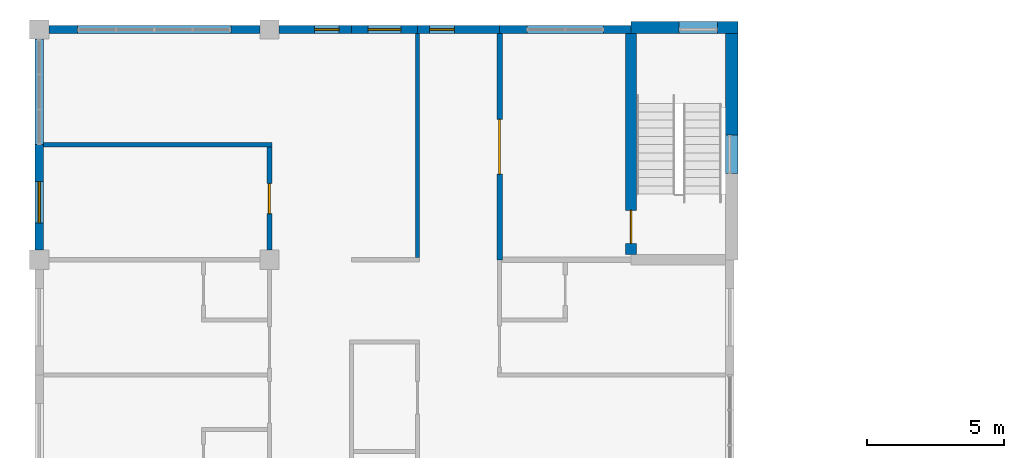
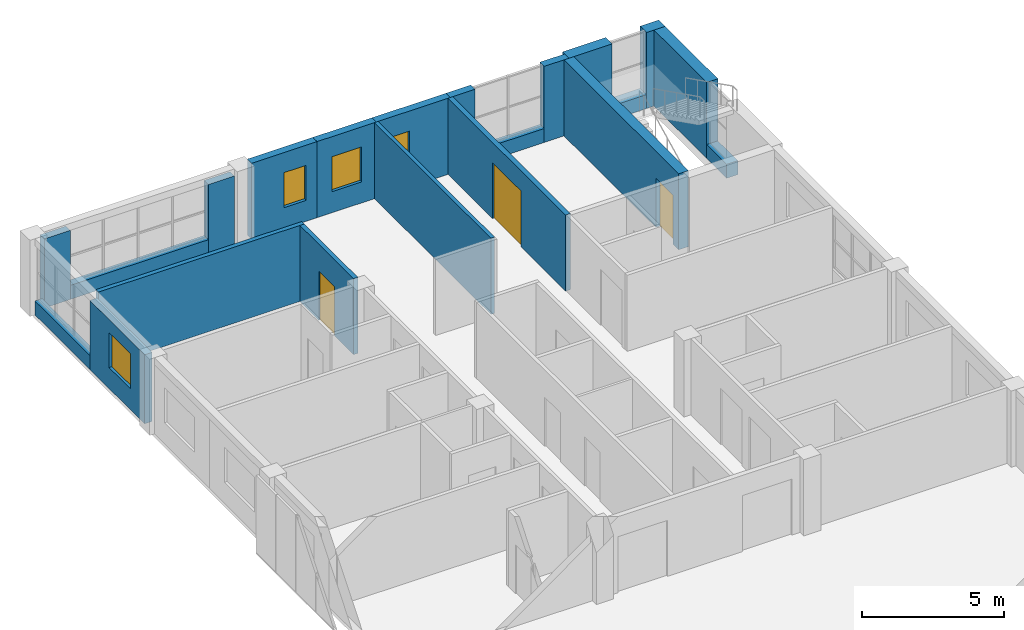
# One storey, part 43 of 61: 21 walls, 4 windows, 3 doors, 7 openings.
"""IFC4 building model written with IfcOpenShell, lengths in metres."""

from ifc_helpers import new_model, si_unit, direction, frame, frame_2d, origin, place, context, subcontext, project, spatial, rectangle, extrude, material, layer, layer_set, type_object, element, fill, save


model = new_model("IFC4")

# Units and contexts
model_context = context("Model", 3, precision=1e-05, world=origin(), true_north=direction((0.0, 1.0)))
body_context = subcontext(model_context, "Body", "Model", "MODEL_VIEW")
ifc_project = project(units=[si_unit("LENGTHUNIT", "METRE"), si_unit("AREAUNIT", "SQUARE_METRE"), si_unit("VOLUMEUNIT", "CUBIC_METRE"), si_unit("PLANEANGLEUNIT", "RADIAN"), si_unit("MASSUNIT", "GRAM", prefix="KILO")], contexts=[model_context])

# Site, building, storey
site_placement = place(None, origin())
site = spatial("IfcSite", under=ifc_project, at=site_placement, CompositionType="ELEMENT")
building_placement = place(site_placement, origin())
building = spatial("IfcBuilding", under=site, at=building_placement, Name="Yavir Park General Hospital", CompositionType="ELEMENT")
storey_placement = place(building_placement, frame((0.0, 0.0, 15.300048828125)))
storey = spatial("IfcBuildingStorey", under=building, at=storey_placement, Name="L03", CompositionType="ELEMENT", Elevation=15.300048828125)

# Wall
ifc_material_1 = material(Name="Double-leaf gypsum board acoustic partition on staggered studs")
ifc_layer_1 = layer(ifc_material_1, 0.175048828125)
ifc_layer_set_1 = layer_set([ifc_layer_1], Name="Double-leaf gypsum board acoustic partition on staggered studs")
wall_type_1 = type_object("IfcWallType", Name="Acoustic partition 175", PredefinedType="PARTITIONING", material=ifc_layer_set_1)
wall_1_placement = place(storey_placement, frame((0.14990234375, 113.39990234375, 0.0), z_axis=(0.0, 0.0, 1.0), x_axis=(1.0, 0.0, 0.0)))
element("IfcWall", 1, at=wall_1_placement, inside=storey, type_object=wall_type_1, Name="AP175 L03-146", PredefinedType="PARTITIONING", context=body_context, shape_type="SweptSolid", body=[
    extrude(rectangle(XDim=8.337646484375, YDim=0.175048828125, at=frame_2d((4.1689453125, 0.0))), origin(), (0.0, 0.0, 1.0), 3.260009765625),
])

# Wall, opening, door
wall_2_placement = place(storey_placement, frame((8.39990234375, 109.550048828125, 0.0), z_axis=(0.0, 0.0, 1.0), x_axis=(0.0, 1.0, 0.0)))
wall_2 = element("IfcWall", 2, at=wall_2_placement, inside=storey, type_object=wall_type_1, Name="AP175 L03-176", PredefinedType="PARTITIONING", context=body_context, shape_type="SweptSolid", body=[
    extrude(rectangle(XDim=3.762451171875, YDim=0.175048828125, at=frame_2d((1.88134765625, 0.0))), origin(), (0.0, 0.0, 1.0), 3.260009765625),
])
opening_1_placement = place(wall_2_placement, frame((1.331298828125, 0.0, 0.0)))
opening_1 = element("IfcOpeningElement", 3, at=opening_1_placement, cuts=wall_2, Name="Opening L03.D118", PredefinedType="OPENING", context=body_context, shape_type="SweptSolid", body=[
    extrude(rectangle(XDim=1.10009765625, YDim=2.10009765625, at=frame_2d((0.550048828125, 1.050048828125))), frame((0.0, 0.097412109375, 0.0), z_axis=(0.0, -1.0, 0.0), x_axis=(1.0, 0.0, 0.0)), (0.0, 0.0, 1.0), 0.195068359375),
])
ifc_material_2 = material(Name="Sealed solid-core acoustic door leaf, Rw 42 dB")
door_type_1 = type_object("IfcDoorType", Name="Acoustic door 1100 x 2100", OperationType="SINGLE_SWING_LEFT", PredefinedType="DOOR", material=ifc_material_2)
door_1_placement = place(opening_1_placement, origin())
door_1 = element("IfcDoor", 4, at=door_1_placement, inside=storey, type_object=door_type_1, Name="L03.D118", OperationType="SINGLE_SWING_LEFT", OverallHeight=2.10009765625, OverallWidth=1.10009765625, PredefinedType="DOOR", context=body_context, shape_type="SweptSolid", body=[
    extrude(rectangle(XDim=1.10009765625, YDim=2.10009765625, at=frame_2d((0.550048828125, 1.050048828125))), frame((0.0, 0.03515625, 0.0), z_axis=(0.0, -1.0, 0.0), x_axis=(1.0, 0.0, 0.0)), (0.0, 0.0, 1.0), 0.070068359375),
])
fill(opening_1, door_1)

ifc_material_3 = material(Name="Double gypsum board fire partition on steel studs", Category="steel")
ifc_layer_2 = layer(ifc_material_3, 0.199951171875)
ifc_layer_set_2 = layer_set([ifc_layer_2], Name="Double gypsum board fire partition on steel studs")
wall_type_2 = type_object("IfcWallType", Name="Fire-rated partition 200, EI 60", PredefinedType="PARTITIONING", material=ifc_layer_set_2)
wall_3_placement = place(storey_placement, frame((16.800048828125, 109.199951171875, 0.0), z_axis=(0.0, 0.0, 1.0), x_axis=(0.0, 1.0, 0.0)))
wall_3 = element("IfcWall", 5, at=wall_3_placement, inside=storey, type_object=wall_type_2, Name="FP20 L03-199", PredefinedType="PARTITIONING", context=body_context, shape_type="SweptSolid", body=[
    extrude(rectangle(XDim=8.25, YDim=0.199951171875, at=frame_2d((4.125, 0.0))), origin(), (0.0, 0.0, 1.0), 3.260009765625),
])
opening_2_placement = place(wall_3_placement, frame((3.125, 0.0, 0.0)))
opening_2 = element("IfcOpeningElement", 6, at=opening_2_placement, cuts=wall_3, Name="Opening L03.D142", PredefinedType="OPENING", context=body_context, shape_type="SweptSolid", body=[
    extrude(rectangle(XDim=2.0, YDim=2.39990234375, at=frame_2d((1.0, 1.199951171875))), frame((0.0, 0.10986328125, 0.0), z_axis=(0.0, -1.0, 0.0), x_axis=(1.0, 0.0, 0.0)), (0.0, 0.0, 1.0), 0.219970703125),
])
ifc_material_4 = material(Name="Steel frame, fire-resisting leaves with vision panels", Category="steel")
door_type_2 = type_object("IfcDoorType", Name="Double fire door with vision panels 2000 x 2400, EI 60", OperationType="DOUBLE_DOOR_SINGLE_SWING", PredefinedType="DOOR", material=ifc_material_4)
door_2_placement = place(opening_2_placement, origin())
door_2 = element("IfcDoor", 7, at=door_2_placement, inside=storey, type_object=door_type_2, Name="L03.D142", OperationType="SINGLE_SWING_LEFT", OverallHeight=2.39990234375, OverallWidth=2.0, PredefinedType="DOOR", context=body_context, shape_type="SweptSolid", body=[
    extrude(rectangle(XDim=2.0, YDim=2.39990234375, at=frame_2d((1.0, 1.199951171875))), frame((0.0, 0.030029296875, 0.0), z_axis=(0.0, -1.0, 0.0), x_axis=(1.0, 0.0, 0.0)), (0.0, 0.0, 1.0), 0.06005859375),
])
fill(opening_2, door_2)

# Walls
ifc_material_5 = material(Name="Gypsum board partition on steel studs", Category="steel")
ifc_layer_3 = layer(ifc_material_5, 0.14990234375)
ifc_layer_set_3 = layer_set([ifc_layer_3], Name="Gypsum board partition on steel studs")
wall_type_3 = type_object("IfcWallType", Name="Gypsum board partition 150", PredefinedType="PARTITIONING", material=ifc_layer_set_3)
wall_4_placement = place(storey_placement, frame((13.800048828125, 109.27490234375, 0.0), z_axis=(0.0, 0.0, 1.0), x_axis=(0.0, 1.0, 0.0)))
element("IfcWall", 8, at=wall_4_placement, inside=storey, type_object=wall_type_3, Name="P15 L03-186", PredefinedType="PARTITIONING", context=body_context, shape_type="SweptSolid", body=[
    extrude(rectangle(XDim=8.175048828125, YDim=0.14990234375, at=frame_2d((4.08740234375, 0.0))), origin(), (0.0, 0.0, 1.0), 3.260009765625),
])
ifc_material_6 = material(Name="Autoclaved aerated block, mineral wool and ochre mineral render")
ifc_layer_4 = layer(ifc_material_6, 0.300048828125)
ifc_layer_set_4 = layer_set([ifc_layer_4], Name="Autoclaved aerated block, mineral wool and ochre mineral render")
wall_type_4 = type_object("IfcWallType", Name="Ochre render ward wall 300, E 30", PredefinedType="SOLIDWALL", material=ifc_layer_set_4)
wall_5_placement = place(storey_placement, frame((0.35009765625, 117.60009765625, 0.0), z_axis=(0.0, 0.0, 1.0), x_axis=(1.0, 0.0, 0.0)))
element("IfcWall", 9, at=wall_5_placement, inside=storey, type_object=wall_type_4, Name="XW7 L03-080", PredefinedType="SOLIDWALL", context=body_context, shape_type="SweptSolid", body=[
    extrude(rectangle(XDim=1.0498046875, YDim=0.300048828125, at=frame_2d((0.52490234375, 0.0))), origin(), (0.0, 0.0, 1.0), 2.9599609375),
])
wall_6_placement = place(storey_placement, frame((7.0, 117.60009765625, 0.0), z_axis=(0.0, 0.0, 1.0), x_axis=(1.0, 0.0, 0.0)))
element("IfcWall", 10, at=wall_6_placement, inside=storey, type_object=wall_type_4, Name="XW7 L03-081", PredefinedType="SOLIDWALL", context=body_context, shape_type="SweptSolid", body=[
    extrude(rectangle(XDim=1.050048828125, YDim=0.300048828125, at=frame_2d((0.52490234375, 0.0))), origin(), (0.0, 0.0, 1.0), 2.9599609375),
])
wall_7_placement = place(storey_placement, frame((1.39990234375, 117.60009765625, 0.0), z_axis=(0.0, 0.0, 1.0), x_axis=(1.0, 0.0, 0.0)))
element("IfcWall", 11, at=wall_7_placement, inside=storey, type_object=wall_type_4, Name="XW7 L03-082", PredefinedType="SOLIDWALL", context=body_context, shape_type="SweptSolid", body=[
    extrude(rectangle(XDim=5.60009765625, YDim=0.300048828125, at=frame_2d((2.800048828125, 0.0))), origin(), (0.0, 0.0, 1.0), 0.599853515625),
])

# Wall, opening, window
wall_8_placement = place(storey_placement, frame((8.75, 117.60009765625, 0.0), z_axis=(0.0, 0.0, 1.0), x_axis=(1.0, 0.0, 0.0)))
wall_8 = element("IfcWall", 12, at=wall_8_placement, inside=storey, type_object=wall_type_4, Name="XW7 L03-083", PredefinedType="SOLIDWALL", context=body_context, shape_type="SweptSolid", body=[
    extrude(rectangle(XDim=2.64990234375, YDim=0.300048828125, at=frame_2d((1.324951171875, 0.0))), origin(), (0.0, 0.0, 1.0), 3.260009765625),
])
opening_3_placement = place(wall_8_placement, frame((1.300048828125, 0.0, 0.89990234375)))
opening_3 = element("IfcOpeningElement", 13, at=opening_3_placement, cuts=wall_8, Name="Opening WH", PredefinedType="OPENING", context=body_context, shape_type="SweptSolid", body=[
    extrude(rectangle(XDim=0.89990234375, YDim=1.5, at=frame_2d((0.449951171875, 0.75))), frame((0.0, 0.159912109375, 0.0), z_axis=(0.0, -1.0, 0.0), x_axis=(1.0, 0.0, 0.0)), (0.0, 0.0, 1.0), 0.320068359375),
])
ifc_material_7 = material(Name="Aluminium frame, double glazed unit", Category="aluminium")
window_type_1 = type_object("IfcWindowType", Name="Narrow window 900 x 1500", PartitioningType="SINGLE_PANEL", PredefinedType="WINDOW", material=ifc_material_7)
window_1_placement = place(opening_3_placement, origin())
window_1 = element("IfcWindow", 14, at=window_1_placement, inside=storey, type_object=window_type_1, Name="WH L03-041", OverallHeight=1.5, OverallWidth=0.89990234375, PartitioningType="SINGLE_PANEL", PredefinedType="WINDOW", context=body_context, shape_type="SweptSolid", body=[
    extrude(rectangle(XDim=0.89990234375, YDim=1.5, at=frame_2d((0.449951171875, 0.75))), frame((0.0, 0.030029296875, 0.0), z_axis=(0.0, -1.0, 0.0), x_axis=(1.0, 0.0, 0.0)), (0.0, 0.0, 1.0), 0.06005859375),
])
fill(opening_3, window_1)

wall_9_placement = place(storey_placement, frame((11.39990234375, 117.60009765625, 0.0), z_axis=(0.0, 0.0, 1.0), x_axis=(1.0, 0.0, 0.0)))
wall_9 = element("IfcWall", 15, at=wall_9_placement, inside=storey, type_object=wall_type_4, Name="XW7 L03-084", PredefinedType="SOLIDWALL", context=body_context, shape_type="SweptSolid", body=[
    extrude(rectangle(XDim=2.400146484375, YDim=0.300048828125, at=frame_2d((1.2001953125, 0.0))), origin(), (0.0, 0.0, 1.0), 3.260009765625),
])
opening_4_placement = place(wall_9_placement, frame((0.60009765625, 0.0, 0.89990234375)))
opening_4 = element("IfcOpeningElement", 16, at=opening_4_placement, cuts=wall_9, Name="Opening WD", PredefinedType="OPENING", context=body_context, shape_type="SweptSolid", body=[
    extrude(rectangle(XDim=1.199951171875, YDim=1.5, at=frame_2d((0.60009765625, 0.75))), frame((0.0, 0.159912109375, 0.0), z_axis=(0.0, -1.0, 0.0), x_axis=(1.0, 0.0, 0.0)), (0.0, 0.0, 1.0), 0.320068359375),
])
ifc_material_8 = material(Name="Aluminium frame, double glazed unit", Category="aluminium")
window_type_2 = type_object("IfcWindowType", Name="Office window 1200 x 1500", PartitioningType="SINGLE_PANEL", PredefinedType="WINDOW", material=ifc_material_8)
window_2_placement = place(opening_4_placement, origin())
window_2 = element("IfcWindow", 17, at=window_2_placement, inside=storey, type_object=window_type_2, Name="WD L03-042", OverallHeight=1.5, OverallWidth=1.199951171875, PartitioningType="SINGLE_PANEL", PredefinedType="WINDOW", context=body_context, shape_type="SweptSolid", body=[
    extrude(rectangle(XDim=1.199951171875, YDim=1.5, at=frame_2d((0.60009765625, 0.75))), frame((0.0, 0.030029296875, 0.0), z_axis=(0.0, -1.0, 0.0), x_axis=(1.0, 0.0, 0.0)), (0.0, 0.0, 1.0), 0.06005859375),
])
fill(opening_4, window_2)

wall_10_placement = place(storey_placement, frame((13.800048828125, 117.60009765625, 0.0), z_axis=(0.0, 0.0, 1.0), x_axis=(1.0, 0.0, 0.0)))
wall_10 = element("IfcWall", 18, at=wall_10_placement, inside=storey, type_object=wall_type_4, Name="XW7 L03-085", PredefinedType="SOLIDWALL", context=body_context, shape_type="SweptSolid", body=[
    extrude(rectangle(XDim=3.0, YDim=0.300048828125, at=frame_2d((1.5, 0.0))), origin(), (0.0, 0.0, 1.0), 3.260009765625),
])
opening_5_placement = place(wall_10_placement, frame((0.449951171875, 0.0, 0.89990234375)))
opening_5 = element("IfcOpeningElement", 19, at=opening_5_placement, cuts=wall_10, Name="Opening WH", PredefinedType="OPENING", context=body_context, shape_type="SweptSolid", body=[
    extrude(rectangle(XDim=0.89990234375, YDim=1.5, at=frame_2d((0.449951171875, 0.75))), frame((0.0, 0.159912109375, 0.0), z_axis=(0.0, -1.0, 0.0), x_axis=(1.0, 0.0, 0.0)), (0.0, 0.0, 1.0), 0.320068359375),
])
window_3_placement = place(opening_5_placement, origin())
window_3 = element("IfcWindow", 20, at=window_3_placement, inside=storey, type_object=window_type_1, Name="WH L03-043", OverallHeight=1.5, OverallWidth=0.89990234375, PartitioningType="SINGLE_PANEL", PredefinedType="WINDOW", context=body_context, shape_type="SweptSolid", body=[
    extrude(rectangle(XDim=0.89990234375, YDim=1.5, at=frame_2d((0.449951171875, 0.75))), frame((0.0, 0.030029296875, 0.0), z_axis=(0.0, -1.0, 0.0), x_axis=(1.0, 0.0, 0.0)), (0.0, 0.0, 1.0), 0.06005859375),
])
fill(opening_5, window_3)

# Walls
for number, where, z_axis, x_axis, name in (
    (21, (16.800048828125, 117.60009765625, 0.0), (0.0, 0.0, 1.0), (1.0, 0.0, 0.0), "XW7 L03-086"),
    (22, (20.60009765625, 117.60009765625, 0.0), (0.0, 0.0, 1.0), (1.0, 0.0, 0.0), "XW7 L03-087"),
):
    element("IfcWall", number, at=place(storey_placement, frame(where, z_axis=z_axis, x_axis=x_axis)), inside=storey, type_object=wall_type_4, Name=name, PredefinedType="SOLIDWALL", context=body_context, shape_type="SweptSolid", body=[
        extrude(rectangle(XDim=1.0, YDim=0.300048828125, at=frame_2d((0.5, 0.0))), origin(), (0.0, 0.0, 1.0), 3.260009765625),
    ])
wall_11_placement = place(storey_placement, frame((17.800048828125, 117.60009765625, 0.0), z_axis=(0.0, 0.0, 1.0), x_axis=(1.0, 0.0, 0.0)))
element("IfcWall", 23, at=wall_11_placement, inside=storey, type_object=wall_type_4, Name="XW7 L03-088", PredefinedType="SOLIDWALL", context=body_context, shape_type="SweptSolid", body=[
    extrude(rectangle(XDim=2.800048828125, YDim=0.300048828125, at=frame_2d((1.39990234375, 0.0))), origin(), (0.0, 0.0, 1.0), 0.599853515625),
])

# Wall, opening, window
wall_12_placement = place(storey_placement, frame((0.0, 109.550048828125, 0.0), z_axis=(0.0, 0.0, 1.0), x_axis=(0.0, 1.0, 0.0)))
wall_12 = element("IfcWall", 24, at=wall_12_placement, inside=storey, type_object=wall_type_4, Name="XW7 L03-122", PredefinedType="SOLIDWALL", context=body_context, shape_type="SweptSolid", body=[
    extrude(rectangle(XDim=3.849853515625, YDim=0.300048828125, at=frame_2d((1.9248046875, 0.0))), origin(), (0.0, 0.0, 1.0), 2.9599609375),
])
opening_6_placement = place(wall_12_placement, frame((1.0, 0.0, 0.89990234375)))
opening_6 = element("IfcOpeningElement", 25, at=opening_6_placement, cuts=wall_12, Name="Opening WC", PredefinedType="OPENING", context=body_context, shape_type="SweptSolid", body=[
    extrude(rectangle(XDim=1.5, YDim=1.5, at=frame_2d((0.75, 0.75))), frame((0.0, 0.159912109375, 0.0), z_axis=(0.0, -1.0, 0.0), x_axis=(1.0, 0.0, 0.0)), (0.0, 0.0, 1.0), 0.320068359375),
])
ifc_material_9 = material(Name="Aluminium frame, double glazed unit", Category="aluminium")
window_type_3 = type_object("IfcWindowType", Name="Consulting room window 1500 x 1500", PartitioningType="SINGLE_PANEL", PredefinedType="WINDOW", material=ifc_material_9)
window_4_placement = place(opening_6_placement, origin())
window_4 = element("IfcWindow", 26, at=window_4_placement, inside=storey, type_object=window_type_3, Name="WC L03-060", OverallHeight=1.5, OverallWidth=1.5, PartitioningType="SINGLE_PANEL", PredefinedType="WINDOW", context=body_context, shape_type="SweptSolid", body=[
    extrude(rectangle(XDim=1.5, YDim=1.5, at=frame_2d((0.75, 0.75))), frame((0.0, 0.030029296875, 0.0), z_axis=(0.0, -1.0, 0.0), x_axis=(1.0, 0.0, 0.0)), (0.0, 0.0, 1.0), 0.06005859375),
])
fill(opening_6, window_4)

# Wall
wall_13_placement = place(storey_placement, frame((0.0, 113.39990234375, 0.0), z_axis=(0.0, 0.0, 1.0), x_axis=(0.0, 1.0, 0.0)))
element("IfcWall", 27, at=wall_13_placement, inside=storey, type_object=wall_type_4, Name="XW7 L03-123", PredefinedType="SOLIDWALL", context=body_context, shape_type="SweptSolid", body=[
    extrude(rectangle(XDim=3.85009765625, YDim=0.300048828125, at=frame_2d((1.925048828125, 0.0))), origin(), (0.0, 0.0, 1.0), 0.599853515625),
])

# Wall, opening, door
ifc_material_10 = material(Name="Concrete C35/45", Category="concrete")
ifc_layer_5 = layer(ifc_material_10, 0.39990234375)
ifc_layer_set_5 = layer_set([ifc_layer_5], Name="Concrete C35/45")
wall_type_5 = type_object("IfcWallType", Name="Reinforced concrete core wall 400, REI 150", PredefinedType="SHEAR", material=ifc_layer_set_5)
wall_14_placement = place(storey_placement, frame((21.60009765625, 109.39990234375, 0.0), z_axis=(0.0, 0.0, 1.0), x_axis=(0.0, 1.0, 0.0)))
wall_14 = element("IfcWall", 28, at=wall_14_placement, inside=storey, type_object=wall_type_5, Name="CW40 L03-214", PredefinedType="SHEAR", context=body_context, shape_type="SweptSolid", body=[
    extrude(rectangle(XDim=8.050048828125, YDim=0.39990234375, at=frame_2d((4.02490234375, 0.0))), origin(), (0.0, 0.0, 1.0), 3.260009765625),
])
opening_7_placement = place(wall_14_placement, frame((0.39990234375, 0.0, 0.0)))
opening_7 = element("IfcOpeningElement", 29, at=opening_7_placement, cuts=wall_14, Name="Opening L03.D152", PredefinedType="OPENING", context=body_context, shape_type="SweptSolid", body=[
    extrude(rectangle(XDim=1.199951171875, YDim=2.10009765625, at=frame_2d((0.60009765625, 1.050048828125))), frame((0.0, 0.2099609375, 0.0), z_axis=(0.0, -1.0, 0.0), x_axis=(1.0, 0.0, 0.0)), (0.0, 0.0, 1.0), 0.419921875),
])
ifc_material_11 = material(Name="Steel frame, fire-resisting timber leaf", Category="steel")
door_type_3 = type_object("IfcDoorType", Name="Fire door 1200 x 2100, EI 60", OperationType="SINGLE_SWING_LEFT", PredefinedType="DOOR", material=ifc_material_11)
door_3_placement = place(opening_7_placement, origin())
door_3 = element("IfcDoor", 30, at=door_3_placement, inside=storey, type_object=door_type_3, Name="L03.D152", OperationType="SINGLE_SWING_LEFT", OverallHeight=2.10009765625, OverallWidth=1.199951171875, PredefinedType="DOOR", context=body_context, shape_type="SweptSolid", body=[
    extrude(rectangle(XDim=1.199951171875, YDim=2.10009765625, at=frame_2d((0.60009765625, 1.050048828125))), frame((0.0, 0.02490234375, 0.0), z_axis=(0.0, -1.0, 0.0), x_axis=(1.0, 0.0, 0.0)), (0.0, 0.0, 1.0), 0.050048828125),
])
fill(opening_7, door_3)

# Walls
ifc_material_12 = material(Name="Concrete C30/37 precast panel with 150 mm mineral wool insulation", Category="concrete")
ifc_layer_6 = layer(ifc_material_12, 0.449951171875)
ifc_layer_set_6 = layer_set([ifc_layer_6], Name="Concrete C30/37 precast panel with 150 mm mineral wool insulation")
wall_type_6 = type_object("IfcWallType", Name="Stair enclosure wall 450, REI 150", PredefinedType="SOLIDWALL", material=ifc_layer_set_6)
wall_15_placement = place(storey_placement, frame((21.60009765625, 117.675048828125, 0.0), z_axis=(0.0, 0.0, 1.0), x_axis=(1.0, 0.0, 0.0)))
element("IfcWall", 31, at=wall_15_placement, inside=storey, type_object=wall_type_6, Name="XW6 L03-089", PredefinedType="SOLIDWALL", context=body_context, shape_type="SweptSolid", body=[
    extrude(rectangle(XDim=1.75, YDim=0.449951171875, at=frame_2d((0.875, 0.0))), origin(), (0.0, 0.0, 1.0), 3.260009765625),
])
wall_16_placement = place(storey_placement, frame((24.75, 117.675048828125, 0.0), z_axis=(0.0, 0.0, 1.0), x_axis=(1.0, 0.0, 0.0)))
element("IfcWall", 32, at=wall_16_placement, inside=storey, type_object=wall_type_6, Name="XW6 L03-090", PredefinedType="SOLIDWALL", context=body_context, shape_type="SweptSolid", body=[
    extrude(rectangle(XDim=0.75, YDim=0.449951171875, at=frame_2d((0.375, 0.0))), origin(), (0.0, 0.0, 1.0), 3.260009765625),
])
wall_17_placement = place(storey_placement, frame((23.35009765625, 117.675048828125, 0.0), z_axis=(0.0, 0.0, 1.0), x_axis=(1.0, 0.0, 0.0)))
element("IfcWall", 33, at=wall_17_placement, inside=storey, type_object=wall_type_6, Name="XW6 L03-091", PredefinedType="SOLIDWALL", context=body_context, shape_type="SweptSolid", body=[
    extrude(rectangle(XDim=1.39990234375, YDim=0.449951171875, at=frame_2d((0.699951171875, 0.0))), origin(), (0.0, 0.0, 1.0), 0.599853515625),
])
wall_18_placement = place(storey_placement, frame((25.27490234375, 113.75, 0.0), z_axis=(0.0, 0.0, 1.0), x_axis=(0.0, 1.0, 0.0)))
element("IfcWall", 34, at=wall_18_placement, inside=storey, type_object=wall_type_6, Name="XW6 L03-147", PredefinedType="SOLIDWALL", context=body_context, shape_type="SweptSolid", body=[
    extrude(rectangle(XDim=3.699951171875, YDim=0.449951171875, at=frame_2d((1.85009765625, 0.0))), origin(), (0.0, 0.0, 1.0), 3.260009765625),
])
wall_19_placement = place(storey_placement, frame((25.27490234375, 112.35009765625, 0.0), z_axis=(0.0, 0.0, 1.0), x_axis=(0.0, 1.0, 0.0)))
element("IfcWall", 35, at=wall_19_placement, inside=storey, type_object=wall_type_6, Name="XW6 L03-148", PredefinedType="SOLIDWALL", context=body_context, shape_type="SweptSolid", body=[
    extrude(rectangle(XDim=1.39990234375, YDim=0.449951171875, at=frame_2d((0.699951171875, 0.0))), origin(), (0.0, 0.0, 1.0), 0.599853515625),
])

save(model, "model.ifc")
